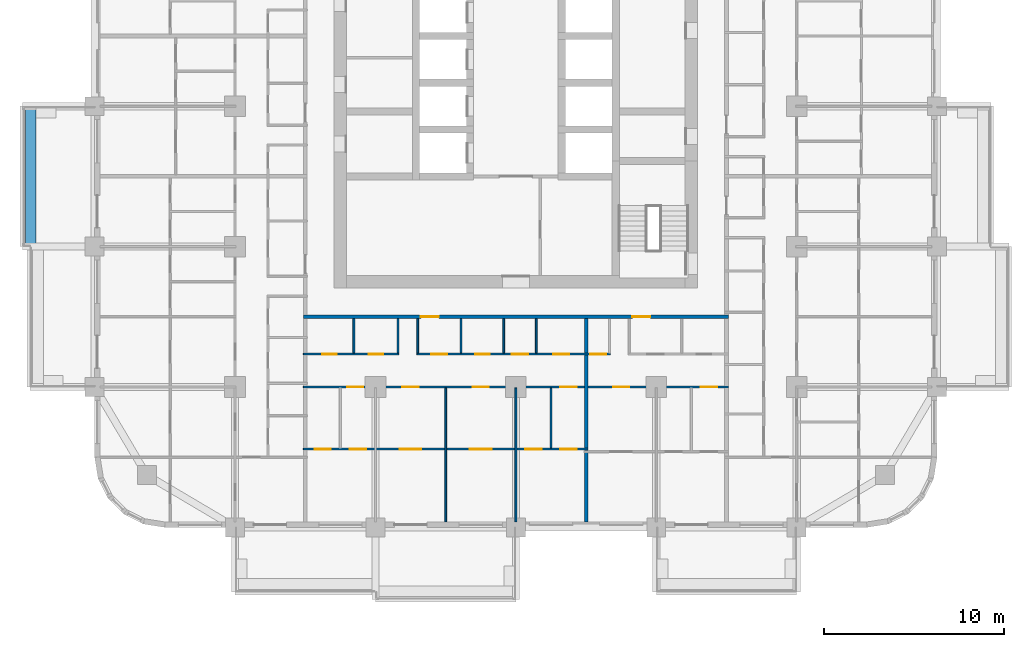
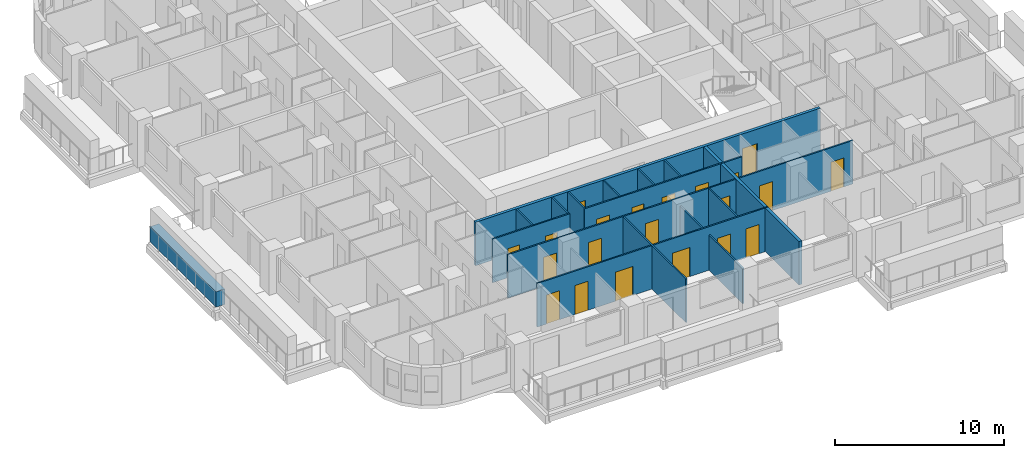
# One storey, part 4 of 17: 21 doors, 16 walls, 21 openings.
"""IFC4 building model written with IfcOpenShell, lengths in metres."""

from ifc_helpers import new_model, si_unit, direction, frame, frame_2d, origin, place, context, subcontext, project, spatial, rectangle, extrude, material, layer, layer_set, type_object, element, fill, save


model = new_model("IFC4")

# Units and contexts
model_context = context("Model", 3, precision=1e-05, world=origin(), true_north=direction((0.0, 1.0)))
body_context = subcontext(model_context, "Body", "Model", "MODEL_VIEW")
ifc_project = project(units=[si_unit("LENGTHUNIT", "METRE"), si_unit("AREAUNIT", "SQUARE_METRE"), si_unit("VOLUMEUNIT", "CUBIC_METRE"), si_unit("PLANEANGLEUNIT", "RADIAN"), si_unit("MASSUNIT", "GRAM", prefix="KILO")], contexts=[model_context])

# Site, building, storey
site_placement = place(None, origin())
site = spatial("IfcSite", under=ifc_project, at=site_placement, CompositionType="ELEMENT")
building_placement = place(site_placement, origin())
building = spatial("IfcBuilding", under=site, at=building_placement, Name="Ludao Terraces", CompositionType="ELEMENT")
storey_placement = place(building_placement, frame((0.0, 0.0, 19.5)))
storey = spatial("IfcBuildingStorey", under=building, at=storey_placement, Name="L04", CompositionType="ELEMENT", Elevation=19.5)

# Wall
ifc_material_1 = material(Name="Concrete C40", Category="concrete")
ifc_layer_1 = layer(ifc_material_1, 0.60009765625)
ifc_layer_set_1 = layer_set([ifc_layer_1], Name="ENV Planter trough 600")
wall_type_1 = type_object("IfcWallType", Name="ENV Planter trough 600", PredefinedType="USERDEFINED", material=ifc_layer_set_1)
wall_1_placement = place(storey_placement, frame((58.050048828125, 57.199951171875, 0.0), z_axis=(0.0, 0.0, 1.0), x_axis=(0.0, 1.0, 0.0)))
element("IfcWall", 1, at=wall_1_placement, inside=storey, type_object=wall_type_1, Name="PL-L04-W2", ObjectType="PLANTER", PredefinedType="USERDEFINED", context=body_context, shape_type="SweptSolid", body=[
    extrude(rectangle(XDim=7.800048828125, YDim=0.60009765625, at=frame_2d((3.89990234375, 0.0))), origin(), (0.0, 0.0, 1.0), 1.10009765625),
])

# Wall, openings, doors
ifc_material_2 = material(Name="Autoclaved aerated concrete block B06 A3.5", Category="concrete")
ifc_layer_2 = layer(ifc_material_2, 0.199951171875)
ifc_layer_set_2 = layer_set([ifc_layer_2], Name="INT Entrance wall 200")
wall_type_2 = type_object("IfcWallType", Name="INT Entrance wall 200", PredefinedType="PARTITIONING", material=ifc_layer_set_2)
wall_2_placement = place(storey_placement, frame((73.2001953125, 53.300048828125, 0.0), z_axis=(0.0, 0.0, 1.0), x_axis=(1.0, 0.0, 0.0)))
wall_2 = element("IfcWall", 2, at=wall_2_placement, inside=storey, type_object=wall_type_2, Name="PW-L04-PW017", PredefinedType="PARTITIONING", context=body_context, shape_type="SweptSolid", body=[
    extrude(rectangle(XDim=23.599853515625, YDim=0.199951171875, at=frame_2d((11.7998046875, 0.0))), origin(), (0.0, 0.0, 1.0), 3.14990234375),
])
opening_1_placement = place(wall_2_placement, frame((6.52490234375, 0.0, 0.0)))
opening_1 = element("IfcOpeningElement", 3, at=opening_1_placement, cuts=wall_2, Name="Opening R01-047", PredefinedType="OPENING", context=body_context, shape_type="SweptSolid", body=[
    extrude(rectangle(XDim=1.0, YDim=2.10009765625, at=frame_2d((0.5, 1.050048828125))), frame((0.0, 0.10986328125, 0.0), z_axis=(0.0, -1.0, 0.0), x_axis=(1.0, 0.0, 0.0)), (0.0, 0.0, 1.0), 0.219970703125),
])
opening_2_placement = place(wall_2_placement, frame((18.27490234375, 0.0, 0.0)))
opening_2 = element("IfcOpeningElement", 4, at=opening_2_placement, cuts=wall_2, Name="Opening R01-048", PredefinedType="OPENING", context=body_context, shape_type="SweptSolid", body=[
    extrude(rectangle(XDim=1.0, YDim=2.10009765625, at=frame_2d((0.5, 1.050048828125))), frame((0.0, 0.10986328125, 0.0), z_axis=(0.0, -1.0, 0.0), x_axis=(1.0, 0.0, 0.0)), (0.0, 0.0, 1.0), 0.219970703125),
])
ifc_material_3 = material(Name="Steel Q235", Category="steel")
door_type_1 = type_object("IfcDoorType", Name="INT Flat entrance door 1000", OperationType="SINGLE_SWING_LEFT", PredefinedType="DOOR", material=ifc_material_3)
door_1_placement = place(opening_1_placement, origin())
door_1 = element("IfcDoor", 5, at=door_1_placement, inside=storey, type_object=door_type_1, Name="DOOR 047", OperationType="SINGLE_SWING_LEFT", OverallHeight=2.10009765625, OverallWidth=1.0, PredefinedType="DOOR", context=body_context, shape_type="SweptSolid", body=[
    extrude(rectangle(XDim=1.0, YDim=2.10009765625, at=frame_2d((0.5, 1.050048828125))), frame((0.0, 0.02490234375, 0.0), z_axis=(0.0, -1.0, 0.0), x_axis=(1.0, 0.0, 0.0)), (0.0, 0.0, 1.0), 0.050048828125),
])
fill(opening_1, door_1)
door_2_placement = place(opening_2_placement, origin())
door_2 = element("IfcDoor", 6, at=door_2_placement, inside=storey, type_object=door_type_1, Name="DOOR 048", OperationType="SINGLE_SWING_LEFT", OverallHeight=2.10009765625, OverallWidth=1.0, PredefinedType="DOOR", context=body_context, shape_type="SweptSolid", body=[
    extrude(rectangle(XDim=1.0, YDim=2.10009765625, at=frame_2d((0.5, 1.050048828125))), frame((0.0, 0.02490234375, 0.0), z_axis=(0.0, -1.0, 0.0), x_axis=(1.0, 0.0, 0.0)), (0.0, 0.0, 1.0), 0.050048828125),
])
fill(opening_2, door_2)

ifc_material_4 = material(Name="Gypsum plasterboard", Category="gypsum")
ifc_layer_3 = layer(ifc_material_4, 0.012451171875, Category="gypsum")
ifc_material_5 = material(Name="Mineral wool")
ifc_layer_4 = layer(ifc_material_5, 0.06005859375, Name="insulation")
ifc_layer_5 = layer(ifc_material_3, 0.014892578125, Name="stud")
ifc_layer_6 = layer(ifc_material_4, 0.012451171875, Category="gypsum")
ifc_layer_set_3 = layer_set([ifc_layer_3, ifc_layer_4, ifc_layer_5, ifc_layer_6], Name="INT Partition 100")
wall_type_3 = type_object("IfcWallType", Name="INT Partition 100", PredefinedType="PARTITIONING", material=ifc_layer_set_3)
wall_3_placement = place(storey_placement, frame((73.2001953125, 45.949951171875, 0.0), z_axis=(0.0, 0.0, 1.0), x_axis=(1.0, 0.0, 0.0)))
wall_3 = element("IfcWall", 7, at=wall_3_placement, inside=storey, type_object=wall_type_3, Name="PW-L04-PW003", PredefinedType="PARTITIONING", context=body_context, shape_type="SweptSolid", body=[
    extrude(rectangle(XDim=15.7998046875, YDim=0.10009765625, at=frame_2d((7.89990234375, 0.0))), origin(), (0.0, 0.0, 1.0), 3.14990234375),
])
opening_3_placement = place(wall_3_placement, frame((0.625, 0.0, 0.0)))
opening_3 = element("IfcOpeningElement", 8, at=opening_3_placement, cuts=wall_3, Name="Opening R01-010", PredefinedType="OPENING", context=body_context, shape_type="SweptSolid", body=[
    extrude(rectangle(XDim=0.89990234375, YDim=2.10009765625, at=frame_2d((0.449951171875, 1.050048828125))), frame((0.0, 0.06005859375, 0.0), z_axis=(0.0, -1.0, 0.0), x_axis=(1.0, 0.0, 0.0)), (0.0, 0.0, 1.0), 0.1201171875),
])
opening_4_placement = place(wall_3_placement, frame((2.574951171875, 0.0, 0.0)))
opening_4 = element("IfcOpeningElement", 9, at=opening_4_placement, cuts=wall_3, Name="Opening R01-011", PredefinedType="OPENING", context=body_context, shape_type="SweptSolid", body=[
    extrude(rectangle(XDim=0.89990234375, YDim=2.10009765625, at=frame_2d((0.449951171875, 1.050048828125))), frame((0.0, 0.06005859375, 0.0), z_axis=(0.0, -1.0, 0.0), x_axis=(1.0, 0.0, 0.0)), (0.0, 0.0, 1.0), 0.1201171875),
])
opening_5_placement = place(wall_3_placement, frame((5.349853515625, 0.0, 0.0)))
opening_5 = element("IfcOpeningElement", 10, at=opening_5_placement, cuts=wall_3, Name="Opening R01-012", PredefinedType="OPENING", context=body_context, shape_type="SweptSolid", body=[
    extrude(rectangle(XDim=1.199951171875, YDim=2.10009765625, at=frame_2d((0.60009765625, 1.050048828125))), frame((0.0, 0.06005859375, 0.0), z_axis=(0.0, -1.0, 0.0), x_axis=(1.0, 0.0, 0.0)), (0.0, 0.0, 1.0), 0.1201171875),
])
opening_6_placement = place(wall_3_placement, frame((9.25, 0.0, 0.0)))
opening_6 = element("IfcOpeningElement", 11, at=opening_6_placement, cuts=wall_3, Name="Opening R01-013", PredefinedType="OPENING", context=body_context, shape_type="SweptSolid", body=[
    extrude(rectangle(XDim=1.199951171875, YDim=2.10009765625, at=frame_2d((0.60009765625, 1.050048828125))), frame((0.0, 0.06005859375, 0.0), z_axis=(0.0, -1.0, 0.0), x_axis=(1.0, 0.0, 0.0)), (0.0, 0.0, 1.0), 0.1201171875),
])
opening_7_placement = place(wall_3_placement, frame((12.324951171875, 0.0, 0.0)))
opening_7 = element("IfcOpeningElement", 12, at=opening_7_placement, cuts=wall_3, Name="Opening R01-014", PredefinedType="OPENING", context=body_context, shape_type="SweptSolid", body=[
    extrude(rectangle(XDim=0.89990234375, YDim=2.10009765625, at=frame_2d((0.449951171875, 1.050048828125))), frame((0.0, 0.06005859375, 0.0), z_axis=(0.0, -1.0, 0.0), x_axis=(1.0, 0.0, 0.0)), (0.0, 0.0, 1.0), 0.1201171875),
])
opening_8_placement = place(wall_3_placement, frame((14.27490234375, 0.0, 0.0)))
opening_8 = element("IfcOpeningElement", 13, at=opening_8_placement, cuts=wall_3, Name="Opening R01-015", PredefinedType="OPENING", context=body_context, shape_type="SweptSolid", body=[
    extrude(rectangle(XDim=0.89990234375, YDim=2.10009765625, at=frame_2d((0.449951171875, 1.050048828125))), frame((0.0, 0.06005859375, 0.0), z_axis=(0.0, -1.0, 0.0), x_axis=(1.0, 0.0, 0.0)), (0.0, 0.0, 1.0), 0.1201171875),
])
ifc_material_6 = material(Name="Timber door leaf", Category="wood")
door_type_2 = type_object("IfcDoorType", Name="INT Bathroom door 900", OperationType="SINGLE_SWING_LEFT", PredefinedType="DOOR", material=ifc_material_6)
door_3_placement = place(opening_3_placement, origin())
door_3 = element("IfcDoor", 14, at=door_3_placement, inside=storey, type_object=door_type_2, Name="DOOR 010", OperationType="SINGLE_SWING_LEFT", OverallHeight=2.10009765625, OverallWidth=0.89990234375, PredefinedType="DOOR", context=body_context, shape_type="SweptSolid", body=[
    extrude(rectangle(XDim=0.89990234375, YDim=2.10009765625, at=frame_2d((0.449951171875, 1.050048828125))), frame((0.0, 0.02490234375, 0.0), z_axis=(0.0, -1.0, 0.0), x_axis=(1.0, 0.0, 0.0)), (0.0, 0.0, 1.0), 0.050048828125),
])
fill(opening_3, door_3)
door_4_placement = place(opening_7_placement, origin())
door_4 = element("IfcDoor", 15, at=door_4_placement, inside=storey, type_object=door_type_2, Name="DOOR 014", OperationType="SINGLE_SWING_RIGHT", OverallHeight=2.10009765625, OverallWidth=0.89990234375, PredefinedType="DOOR", context=body_context, shape_type="SweptSolid", body=[
    extrude(rectangle(XDim=0.89990234375, YDim=2.10009765625, at=frame_2d((0.449951171875, 1.050048828125))), frame((0.0, 0.02490234375, 0.0), z_axis=(0.0, -1.0, 0.0), x_axis=(1.0, 0.0, 0.0)), (0.0, 0.0, 1.0), 0.050048828125),
])
fill(opening_7, door_4)
door_type_3 = type_object("IfcDoorType", Name="INT Double door 1200", OperationType="DOUBLE_DOOR_SINGLE_SWING", PredefinedType="DOOR", material=ifc_material_6)
door_5_placement = place(opening_5_placement, origin())
door_5 = element("IfcDoor", 16, at=door_5_placement, inside=storey, type_object=door_type_3, Name="DOOR 012", OperationType="DOUBLE_DOOR_SINGLE_SWING", OverallHeight=2.10009765625, OverallWidth=1.199951171875, PredefinedType="DOOR", context=body_context, shape_type="SweptSolid", body=[
    extrude(rectangle(XDim=1.199951171875, YDim=2.10009765625, at=frame_2d((0.60009765625, 1.050048828125))), frame((0.0, 0.02490234375, 0.0), z_axis=(0.0, -1.0, 0.0), x_axis=(1.0, 0.0, 0.0)), (0.0, 0.0, 1.0), 0.050048828125),
])
fill(opening_5, door_5)
door_6_placement = place(opening_6_placement, origin())
door_6 = element("IfcDoor", 17, at=door_6_placement, inside=storey, type_object=door_type_3, Name="DOOR 013", OperationType="DOUBLE_DOOR_SINGLE_SWING", OverallHeight=2.10009765625, OverallWidth=1.199951171875, PredefinedType="DOOR", context=body_context, shape_type="SweptSolid", body=[
    extrude(rectangle(XDim=1.199951171875, YDim=2.10009765625, at=frame_2d((0.60009765625, 1.050048828125))), frame((0.0, 0.02490234375, 0.0), z_axis=(0.0, -1.0, 0.0), x_axis=(1.0, 0.0, 0.0)), (0.0, 0.0, 1.0), 0.050048828125),
])
fill(opening_6, door_6)
door_type_4 = type_object("IfcDoorType", Name="INT Room door 900", OperationType="SINGLE_SWING_LEFT", PredefinedType="DOOR", material=ifc_material_6)
door_7_placement = place(opening_4_placement, origin())
door_7 = element("IfcDoor", 18, at=door_7_placement, inside=storey, type_object=door_type_4, Name="DOOR 011", OperationType="SINGLE_SWING_LEFT", OverallHeight=2.10009765625, OverallWidth=0.89990234375, PredefinedType="DOOR", context=body_context, shape_type="SweptSolid", body=[
    extrude(rectangle(XDim=0.89990234375, YDim=2.10009765625, at=frame_2d((0.449951171875, 1.050048828125))), frame((0.0, 0.02490234375, 0.0), z_axis=(0.0, -1.0, 0.0), x_axis=(1.0, 0.0, 0.0)), (0.0, 0.0, 1.0), 0.050048828125),
])
fill(opening_4, door_7)
door_8_placement = place(opening_8_placement, origin())
door_8 = element("IfcDoor", 19, at=door_8_placement, inside=storey, type_object=door_type_4, Name="DOOR 015", OperationType="SINGLE_SWING_RIGHT", OverallHeight=2.10009765625, OverallWidth=0.89990234375, PredefinedType="DOOR", context=body_context, shape_type="SweptSolid", body=[
    extrude(rectangle(XDim=0.89990234375, YDim=2.10009765625, at=frame_2d((0.449951171875, 1.050048828125))), frame((0.0, 0.02490234375, 0.0), z_axis=(0.0, -1.0, 0.0), x_axis=(1.0, 0.0, 0.0)), (0.0, 0.0, 1.0), 0.050048828125),
])
fill(opening_8, door_8)

wall_4_placement = place(storey_placement, frame((73.2001953125, 49.39990234375, 0.0), z_axis=(0.0, 0.0, 1.0), x_axis=(1.0, 0.0, 0.0)))
wall_4 = element("IfcWall", 20, at=wall_4_placement, inside=storey, type_object=wall_type_3, Name="PW-L04-PW008", PredefinedType="PARTITIONING", context=body_context, shape_type="SweptSolid", body=[
    extrude(rectangle(XDim=23.599853515625, YDim=0.10009765625, at=frame_2d((11.7998046875, 0.0))), origin(), (0.0, 0.0, 1.0), 3.14990234375),
])
opening_9_placement = place(wall_4_placement, frame((2.4248046875, 0.0, 0.0)))
opening_9 = element("IfcOpeningElement", 21, at=opening_9_placement, cuts=wall_4, Name="Opening R01-025", PredefinedType="OPENING", context=body_context, shape_type="SweptSolid", body=[
    extrude(rectangle(XDim=0.89990234375, YDim=2.10009765625, at=frame_2d((0.449951171875, 1.050048828125))), frame((0.0, 0.06005859375, 0.0), z_axis=(0.0, -1.0, 0.0), x_axis=(1.0, 0.0, 0.0)), (0.0, 0.0, 1.0), 0.1201171875),
])
opening_10_placement = place(wall_4_placement, frame((5.5, 0.0, 0.0)))
opening_10 = element("IfcOpeningElement", 22, at=opening_10_placement, cuts=wall_4, Name="Opening R01-026", PredefinedType="OPENING", context=body_context, shape_type="SweptSolid", body=[
    extrude(rectangle(XDim=0.89990234375, YDim=2.10009765625, at=frame_2d((0.449951171875, 1.050048828125))), frame((0.0, 0.06005859375, 0.0), z_axis=(0.0, -1.0, 0.0), x_axis=(1.0, 0.0, 0.0)), (0.0, 0.0, 1.0), 0.1201171875),
])
opening_11_placement = place(wall_4_placement, frame((9.39990234375, 0.0, 0.0)))
opening_11 = element("IfcOpeningElement", 23, at=opening_11_placement, cuts=wall_4, Name="Opening R01-027", PredefinedType="OPENING", context=body_context, shape_type="SweptSolid", body=[
    extrude(rectangle(XDim=0.89990234375, YDim=2.10009765625, at=frame_2d((0.449951171875, 1.050048828125))), frame((0.0, 0.06005859375, 0.0), z_axis=(0.0, -1.0, 0.0), x_axis=(1.0, 0.0, 0.0)), (0.0, 0.0, 1.0), 0.1201171875),
])
opening_12_placement = place(wall_4_placement, frame((14.27490234375, 0.0, 0.0)))
opening_12 = element("IfcOpeningElement", 24, at=opening_12_placement, cuts=wall_4, Name="Opening R01-028", PredefinedType="OPENING", context=body_context, shape_type="SweptSolid", body=[
    extrude(rectangle(XDim=0.89990234375, YDim=2.10009765625, at=frame_2d((0.449951171875, 1.050048828125))), frame((0.0, 0.06005859375, 0.0), z_axis=(0.0, -1.0, 0.0), x_axis=(1.0, 0.0, 0.0)), (0.0, 0.0, 1.0), 0.1201171875),
])
opening_13_placement = place(wall_4_placement, frame((17.199951171875, 0.0, 0.0)))
opening_13 = element("IfcOpeningElement", 25, at=opening_13_placement, cuts=wall_4, Name="Opening R01-029", PredefinedType="OPENING", context=body_context, shape_type="SweptSolid", body=[
    extrude(rectangle(XDim=0.89990234375, YDim=2.10009765625, at=frame_2d((0.449951171875, 1.050048828125))), frame((0.0, 0.06005859375, 0.0), z_axis=(0.0, -1.0, 0.0), x_axis=(1.0, 0.0, 0.0)), (0.0, 0.0, 1.0), 0.1201171875),
])
opening_14_placement = place(wall_4_placement, frame((22.074951171875, 0.0, 0.0)))
opening_14 = element("IfcOpeningElement", 26, at=opening_14_placement, cuts=wall_4, Name="Opening R01-030", PredefinedType="OPENING", context=body_context, shape_type="SweptSolid", body=[
    extrude(rectangle(XDim=0.89990234375, YDim=2.10009765625, at=frame_2d((0.449951171875, 1.050048828125))), frame((0.0, 0.06005859375, 0.0), z_axis=(0.0, -1.0, 0.0), x_axis=(1.0, 0.0, 0.0)), (0.0, 0.0, 1.0), 0.1201171875),
])
door_9_placement = place(opening_9_placement, origin())
door_9 = element("IfcDoor", 27, at=door_9_placement, inside=storey, type_object=door_type_4, Name="DOOR 025", OperationType="SINGLE_SWING_RIGHT", OverallHeight=2.10009765625, OverallWidth=0.89990234375, PredefinedType="DOOR", context=body_context, shape_type="SweptSolid", body=[
    extrude(rectangle(XDim=0.89990234375, YDim=2.10009765625, at=frame_2d((0.449951171875, 1.050048828125))), frame((0.0, 0.02490234375, 0.0), z_axis=(0.0, -1.0, 0.0), x_axis=(1.0, 0.0, 0.0)), (0.0, 0.0, 1.0), 0.050048828125),
])
fill(opening_9, door_9)
door_10_placement = place(opening_10_placement, origin())
door_10 = element("IfcDoor", 28, at=door_10_placement, inside=storey, type_object=door_type_4, Name="DOOR 026", OperationType="SINGLE_SWING_RIGHT", OverallHeight=2.10009765625, OverallWidth=0.89990234375, PredefinedType="DOOR", context=body_context, shape_type="SweptSolid", body=[
    extrude(rectangle(XDim=0.89990234375, YDim=2.10009765625, at=frame_2d((0.449951171875, 1.050048828125))), frame((0.0, 0.02490234375, 0.0), z_axis=(0.0, -1.0, 0.0), x_axis=(1.0, 0.0, 0.0)), (0.0, 0.0, 1.0), 0.050048828125),
])
fill(opening_10, door_10)
door_11_placement = place(opening_11_placement, origin())
door_11 = element("IfcDoor", 29, at=door_11_placement, inside=storey, type_object=door_type_4, Name="DOOR 027", OperationType="SINGLE_SWING_RIGHT", OverallHeight=2.10009765625, OverallWidth=0.89990234375, PredefinedType="DOOR", context=body_context, shape_type="SweptSolid", body=[
    extrude(rectangle(XDim=0.89990234375, YDim=2.10009765625, at=frame_2d((0.449951171875, 1.050048828125))), frame((0.0, 0.02490234375, 0.0), z_axis=(0.0, -1.0, 0.0), x_axis=(1.0, 0.0, 0.0)), (0.0, 0.0, 1.0), 0.050048828125),
])
fill(opening_11, door_11)
door_12_placement = place(opening_12_placement, origin())
door_12 = element("IfcDoor", 30, at=door_12_placement, inside=storey, type_object=door_type_4, Name="DOOR 028", OperationType="SINGLE_SWING_LEFT", OverallHeight=2.10009765625, OverallWidth=0.89990234375, PredefinedType="DOOR", context=body_context, shape_type="SweptSolid", body=[
    extrude(rectangle(XDim=0.89990234375, YDim=2.10009765625, at=frame_2d((0.449951171875, 1.050048828125))), frame((0.0, 0.02490234375, 0.0), z_axis=(0.0, -1.0, 0.0), x_axis=(1.0, 0.0, 0.0)), (0.0, 0.0, 1.0), 0.050048828125),
])
fill(opening_12, door_12)
door_13_placement = place(opening_13_placement, origin())
door_13 = element("IfcDoor", 31, at=door_13_placement, inside=storey, type_object=door_type_4, Name="DOOR 029", OperationType="SINGLE_SWING_RIGHT", OverallHeight=2.10009765625, OverallWidth=0.89990234375, PredefinedType="DOOR", context=body_context, shape_type="SweptSolid", body=[
    extrude(rectangle(XDim=0.89990234375, YDim=2.10009765625, at=frame_2d((0.449951171875, 1.050048828125))), frame((0.0, 0.02490234375, 0.0), z_axis=(0.0, -1.0, 0.0), x_axis=(1.0, 0.0, 0.0)), (0.0, 0.0, 1.0), 0.050048828125),
])
fill(opening_13, door_13)
door_14_placement = place(opening_14_placement, origin())
door_14 = element("IfcDoor", 32, at=door_14_placement, inside=storey, type_object=door_type_4, Name="DOOR 030", OperationType="SINGLE_SWING_LEFT", OverallHeight=2.10009765625, OverallWidth=0.89990234375, PredefinedType="DOOR", context=body_context, shape_type="SweptSolid", body=[
    extrude(rectangle(XDim=0.89990234375, YDim=2.10009765625, at=frame_2d((0.449951171875, 1.050048828125))), frame((0.0, 0.02490234375, 0.0), z_axis=(0.0, -1.0, 0.0), x_axis=(1.0, 0.0, 0.0)), (0.0, 0.0, 1.0), 0.050048828125),
])
fill(opening_14, door_14)

wall_5_placement = place(storey_placement, frame((73.2001953125, 51.22998046875, 0.0), z_axis=(0.0, 0.0, 1.0), x_axis=(1.0, 0.0, 0.0)))
wall_5 = element("IfcWall", 33, at=wall_5_placement, inside=storey, type_object=wall_type_3, Name="PW-L04-PW012", PredefinedType="PARTITIONING", context=body_context, shape_type="SweptSolid", body=[
    extrude(rectangle(XDim=5.2998046875, YDim=0.10009765625, at=frame_2d((2.64990234375, 0.0))), origin(), (0.0, 0.0, 1.0), 3.14990234375),
])
opening_15_placement = place(wall_5_placement, frame((1.0498046875, 0.0, 0.0)))
opening_15 = element("IfcOpeningElement", 34, at=opening_15_placement, cuts=wall_5, Name="Opening R01-032", PredefinedType="OPENING", context=body_context, shape_type="SweptSolid", body=[
    extrude(rectangle(XDim=0.800048828125, YDim=2.10009765625, at=frame_2d((0.39990234375, 1.050048828125))), frame((0.0, 0.06005859375, 0.0), z_axis=(0.0, -1.0, 0.0), x_axis=(1.0, 0.0, 0.0)), (0.0, 0.0, 1.0), 0.1201171875),
])
opening_16_placement = place(wall_5_placement, frame((3.625, 0.0, 0.0)))
opening_16 = element("IfcOpeningElement", 35, at=opening_16_placement, cuts=wall_5, Name="Opening R01-033", PredefinedType="OPENING", context=body_context, shape_type="SweptSolid", body=[
    extrude(rectangle(XDim=0.800048828125, YDim=2.10009765625, at=frame_2d((0.39990234375, 1.050048828125))), frame((0.0, 0.06005859375, 0.0), z_axis=(0.0, -1.0, 0.0), x_axis=(1.0, 0.0, 0.0)), (0.0, 0.0, 1.0), 0.1201171875),
])
door_type_5 = type_object("IfcDoorType", Name="INT Store door 800", OperationType="SINGLE_SWING_LEFT", PredefinedType="DOOR", material=ifc_material_6)
door_15_placement = place(opening_15_placement, origin())
door_15 = element("IfcDoor", 36, at=door_15_placement, inside=storey, type_object=door_type_5, Name="DOOR 032", OperationType="SINGLE_SWING_LEFT", OverallHeight=2.10009765625, OverallWidth=0.800048828125, PredefinedType="DOOR", context=body_context, shape_type="SweptSolid", body=[
    extrude(rectangle(XDim=0.800048828125, YDim=2.10009765625, at=frame_2d((0.39990234375, 1.050048828125))), frame((0.0, 0.02490234375, 0.0), z_axis=(0.0, -1.0, 0.0), x_axis=(1.0, 0.0, 0.0)), (0.0, 0.0, 1.0), 0.050048828125),
])
fill(opening_15, door_15)
door_16_placement = place(opening_16_placement, origin())
door_16 = element("IfcDoor", 37, at=door_16_placement, inside=storey, type_object=door_type_5, Name="DOOR 033", OperationType="SINGLE_SWING_LEFT", OverallHeight=2.10009765625, OverallWidth=0.800048828125, PredefinedType="DOOR", context=body_context, shape_type="SweptSolid", body=[
    extrude(rectangle(XDim=0.800048828125, YDim=2.10009765625, at=frame_2d((0.39990234375, 1.050048828125))), frame((0.0, 0.02490234375, 0.0), z_axis=(0.0, -1.0, 0.0), x_axis=(1.0, 0.0, 0.0)), (0.0, 0.0, 1.0), 0.050048828125),
])
fill(opening_16, door_16)

wall_6_placement = place(storey_placement, frame((79.5, 51.22998046875, 0.0), z_axis=(0.0, 0.0, 1.0), x_axis=(1.0, 0.0, 0.0)))
wall_6 = element("IfcWall", 38, at=wall_6_placement, inside=storey, type_object=wall_type_3, Name="PW-L04-PW013", PredefinedType="PARTITIONING", context=body_context, shape_type="SweptSolid", body=[
    extrude(rectangle(XDim=10.75, YDim=0.10009765625, at=frame_2d((5.375, 0.0))), origin(), (0.0, 0.0, 1.0), 3.14990234375),
])
opening_17_placement = place(wall_6_placement, frame((0.800048828125, 0.0, 0.0)))
opening_17 = element("IfcOpeningElement", 39, at=opening_17_placement, cuts=wall_6, Name="Opening R01-034", PredefinedType="OPENING", context=body_context, shape_type="SweptSolid", body=[
    extrude(rectangle(XDim=0.89990234375, YDim=2.10009765625, at=frame_2d((0.449951171875, 1.050048828125))), frame((0.0, 0.06005859375, 0.0), z_axis=(0.0, -1.0, 0.0), x_axis=(1.0, 0.0, 0.0)), (0.0, 0.0, 1.0), 0.1201171875),
])
opening_18_placement = place(wall_6_placement, frame((3.239990234375, 0.0, 0.0)))
opening_18 = element("IfcOpeningElement", 40, at=opening_18_placement, cuts=wall_6, Name="Opening R01-035", PredefinedType="OPENING", context=body_context, shape_type="SweptSolid", body=[
    extrude(rectangle(XDim=0.800048828125, YDim=2.10009765625, at=frame_2d((0.39990234375, 1.050048828125))), frame((0.0, 0.06005859375, 0.0), z_axis=(0.0, -1.0, 0.0), x_axis=(1.0, 0.0, 0.0)), (0.0, 0.0, 1.0), 0.1201171875),
])
opening_19_placement = place(wall_6_placement, frame((5.280029296875, 0.0, 0.0)))
opening_19 = element("IfcOpeningElement", 41, at=opening_19_placement, cuts=wall_6, Name="Opening R01-036", PredefinedType="OPENING", context=body_context, shape_type="SweptSolid", body=[
    extrude(rectangle(XDim=0.89990234375, YDim=2.10009765625, at=frame_2d((0.449951171875, 1.050048828125))), frame((0.0, 0.06005859375, 0.0), z_axis=(0.0, -1.0, 0.0), x_axis=(1.0, 0.0, 0.0)), (0.0, 0.0, 1.0), 0.1201171875),
])
opening_20_placement = place(wall_6_placement, frame((7.565185546875, 0.0, 0.0)))
opening_20 = element("IfcOpeningElement", 42, at=opening_20_placement, cuts=wall_6, Name="Opening R01-037", PredefinedType="OPENING", context=body_context, shape_type="SweptSolid", body=[
    extrude(rectangle(XDim=0.89990234375, YDim=2.10009765625, at=frame_2d((0.449951171875, 1.050048828125))), frame((0.0, 0.06005859375, 0.0), z_axis=(0.0, -1.0, 0.0), x_axis=(1.0, 0.0, 0.0)), (0.0, 0.0, 1.0), 0.1201171875),
])
opening_21_placement = place(wall_6_placement, frame((9.625, 0.0, 0.0)))
opening_21 = element("IfcOpeningElement", 43, at=opening_21_placement, cuts=wall_6, Name="Opening R01-038", PredefinedType="OPENING", context=body_context, shape_type="SweptSolid", body=[
    extrude(rectangle(XDim=0.89990234375, YDim=2.10009765625, at=frame_2d((0.449951171875, 1.050048828125))), frame((0.0, 0.06005859375, 0.0), z_axis=(0.0, -1.0, 0.0), x_axis=(1.0, 0.0, 0.0)), (0.0, 0.0, 1.0), 0.1201171875),
])
door_17_placement = place(opening_17_placement, origin())
door_17 = element("IfcDoor", 44, at=door_17_placement, inside=storey, type_object=door_type_2, Name="DOOR 034", OperationType="SINGLE_SWING_LEFT", OverallHeight=2.10009765625, OverallWidth=0.89990234375, PredefinedType="DOOR", context=body_context, shape_type="SweptSolid", body=[
    extrude(rectangle(XDim=0.89990234375, YDim=2.10009765625, at=frame_2d((0.449951171875, 1.050048828125))), frame((0.0, 0.02490234375, 0.0), z_axis=(0.0, -1.0, 0.0), x_axis=(1.0, 0.0, 0.0)), (0.0, 0.0, 1.0), 0.050048828125),
])
fill(opening_17, door_17)
door_18_placement = place(opening_19_placement, origin())
door_18 = element("IfcDoor", 45, at=door_18_placement, inside=storey, type_object=door_type_2, Name="DOOR 036", OperationType="SINGLE_SWING_LEFT", OverallHeight=2.10009765625, OverallWidth=0.89990234375, PredefinedType="DOOR", context=body_context, shape_type="SweptSolid", body=[
    extrude(rectangle(XDim=0.89990234375, YDim=2.10009765625, at=frame_2d((0.449951171875, 1.050048828125))), frame((0.0, 0.02490234375, 0.0), z_axis=(0.0, -1.0, 0.0), x_axis=(1.0, 0.0, 0.0)), (0.0, 0.0, 1.0), 0.050048828125),
])
fill(opening_19, door_18)
door_19_placement = place(opening_21_placement, origin())
door_19 = element("IfcDoor", 46, at=door_19_placement, inside=storey, type_object=door_type_2, Name="DOOR 038", OperationType="SINGLE_SWING_LEFT", OverallHeight=2.10009765625, OverallWidth=0.89990234375, PredefinedType="DOOR", context=body_context, shape_type="SweptSolid", body=[
    extrude(rectangle(XDim=0.89990234375, YDim=2.10009765625, at=frame_2d((0.449951171875, 1.050048828125))), frame((0.0, 0.02490234375, 0.0), z_axis=(0.0, -1.0, 0.0), x_axis=(1.0, 0.0, 0.0)), (0.0, 0.0, 1.0), 0.050048828125),
])
fill(opening_21, door_19)
door_20_placement = place(opening_20_placement, origin())
door_20 = element("IfcDoor", 47, at=door_20_placement, inside=storey, type_object=door_type_4, Name="DOOR 037", OperationType="SINGLE_SWING_LEFT", OverallHeight=2.10009765625, OverallWidth=0.89990234375, PredefinedType="DOOR", context=body_context, shape_type="SweptSolid", body=[
    extrude(rectangle(XDim=0.89990234375, YDim=2.10009765625, at=frame_2d((0.449951171875, 1.050048828125))), frame((0.0, 0.02490234375, 0.0), z_axis=(0.0, -1.0, 0.0), x_axis=(1.0, 0.0, 0.0)), (0.0, 0.0, 1.0), 0.050048828125),
])
fill(opening_20, door_20)
door_21_placement = place(opening_18_placement, origin())
door_21 = element("IfcDoor", 48, at=door_21_placement, inside=storey, type_object=door_type_5, Name="DOOR 035", OperationType="SINGLE_SWING_LEFT", OverallHeight=2.10009765625, OverallWidth=0.800048828125, PredefinedType="DOOR", context=body_context, shape_type="SweptSolid", body=[
    extrude(rectangle(XDim=0.800048828125, YDim=2.10009765625, at=frame_2d((0.39990234375, 1.050048828125))), frame((0.0, 0.02490234375, 0.0), z_axis=(0.0, -1.0, 0.0), x_axis=(1.0, 0.0, 0.0)), (0.0, 0.0, 1.0), 0.050048828125),
])
fill(opening_18, door_21)

# Walls
for number, where, z_axis, x_axis, name in (
    (49, (76.0, 51.280029296875, 0.0), (0.0, 0.0, 1.0), (0.0, 1.0, 0.0), "PW-L04-PW087"),
    (50, (78.449951171875, 51.280029296875, 0.0), (0.0, 0.0, 1.0), (0.0, 1.0, 0.0), "PW-L04-PW090"),
    (51, (79.550048828125, 51.280029296875, 0.0), (0.0, 0.0, 1.0), (0.0, 1.0, 0.0), "PW-L04-PW091"),
):
    element("IfcWall", number, at=place(storey_placement, frame(where, z_axis=z_axis, x_axis=x_axis)), inside=storey, type_object=wall_type_3, Name=name, PredefinedType="PARTITIONING", context=body_context, shape_type="SweptSolid", body=[
        extrude(rectangle(XDim=1.920166015625, YDim=0.10009765625, at=frame_2d((0.9599609375, 0.0))), origin(), (0.0, 0.0, 1.0), 3.14990234375),
    ])
wall_7_placement = place(storey_placement, frame((81.10009765625, 41.900146484375, 0.0), z_axis=(0.0, 0.0, 1.0), x_axis=(0.0, 1.0, 0.0)))
element("IfcWall", 52, at=wall_7_placement, inside=storey, type_object=wall_type_3, Name="PW-L04-PW092", PredefinedType="PARTITIONING", context=body_context, shape_type="SweptSolid", body=[
    extrude(rectangle(XDim=7.449951171875, YDim=0.10009765625, at=frame_2d((3.72509765625, 0.0))), origin(), (0.0, 0.0, 1.0), 3.14990234375),
])
for number, where, z_axis, x_axis, name in (
    (53, (81.949951171875, 51.280029296875, 0.0), (0.0, 0.0, 1.0), (0.0, 1.0, 0.0), "PW-L04-PW094"),
    (54, (84.330078125, 51.280029296875, 0.0), (0.0, 0.0, 1.0), (0.0, 1.0, 0.0), "PW-L04-PW095"),
):
    element("IfcWall", number, at=place(storey_placement, frame(where, z_axis=z_axis, x_axis=x_axis)), inside=storey, type_object=wall_type_3, Name=name, PredefinedType="PARTITIONING", context=body_context, shape_type="SweptSolid", body=[
        extrude(rectangle(XDim=1.920166015625, YDim=0.10009765625, at=frame_2d((0.9599609375, 0.0))), origin(), (0.0, 0.0, 1.0), 3.14990234375),
    ])
wall_8_placement = place(storey_placement, frame((85.0, 41.900146484375, 0.0), z_axis=(0.0, 0.0, 1.0), x_axis=(0.0, 1.0, 0.0)))
element("IfcWall", 55, at=wall_8_placement, inside=storey, type_object=wall_type_3, Name="PW-L04-PW096", PredefinedType="PARTITIONING", context=body_context, shape_type="SweptSolid", body=[
    extrude(rectangle(XDim=7.449951171875, YDim=0.10009765625, at=frame_2d((3.72509765625, 0.0))), origin(), (0.0, 0.0, 1.0), 2.550048828125),
])
wall_9_placement = place(storey_placement, frame((86.1298828125, 51.280029296875, 0.0), z_axis=(0.0, 0.0, 1.0), x_axis=(0.0, 1.0, 0.0)))
element("IfcWall", 56, at=wall_9_placement, inside=storey, type_object=wall_type_3, Name="PW-L04-PW098", PredefinedType="PARTITIONING", context=body_context, shape_type="SweptSolid", body=[
    extrude(rectangle(XDim=1.920166015625, YDim=0.10009765625, at=frame_2d((0.9599609375, 0.0))), origin(), (0.0, 0.0, 1.0), 3.14990234375),
])
wall_10_placement = place(storey_placement, frame((86.949951171875, 46.0, 0.0), z_axis=(0.0, 0.0, 1.0), x_axis=(0.0, 1.0, 0.0)))
element("IfcWall", 57, at=wall_10_placement, inside=storey, type_object=wall_type_3, Name="PW-L04-PW100", PredefinedType="PARTITIONING", context=body_context, shape_type="SweptSolid", body=[
    extrude(rectangle(XDim=3.35009765625, YDim=0.10009765625, at=frame_2d((1.675048828125, 0.0))), origin(), (0.0, 0.0, 1.0), 3.14990234375),
])
ifc_layer_7 = layer(ifc_material_2, 0.199951171875)
ifc_layer_set_4 = layer_set([ifc_layer_7], Name="INT Party wall 200")
wall_type_4 = type_object("IfcWallType", Name="INT Party wall 200", PredefinedType="PARTITIONING", material=ifc_layer_set_4)
wall_11_placement = place(storey_placement, frame((88.89990234375, 41.900146484375, 0.0), z_axis=(0.0, 0.0, 1.0), x_axis=(0.0, 1.0, 0.0)))
element("IfcWall", 58, at=wall_11_placement, inside=storey, type_object=wall_type_4, Name="PW-L04-PW101", PredefinedType="PARTITIONING", context=body_context, shape_type="SweptSolid", body=[
    extrude(rectangle(XDim=11.300048828125, YDim=0.199951171875, at=frame_2d((5.64990234375, 0.0))), origin(), (0.0, 0.0, 1.0), 3.14990234375),
])

save(model, "model.ifc")
